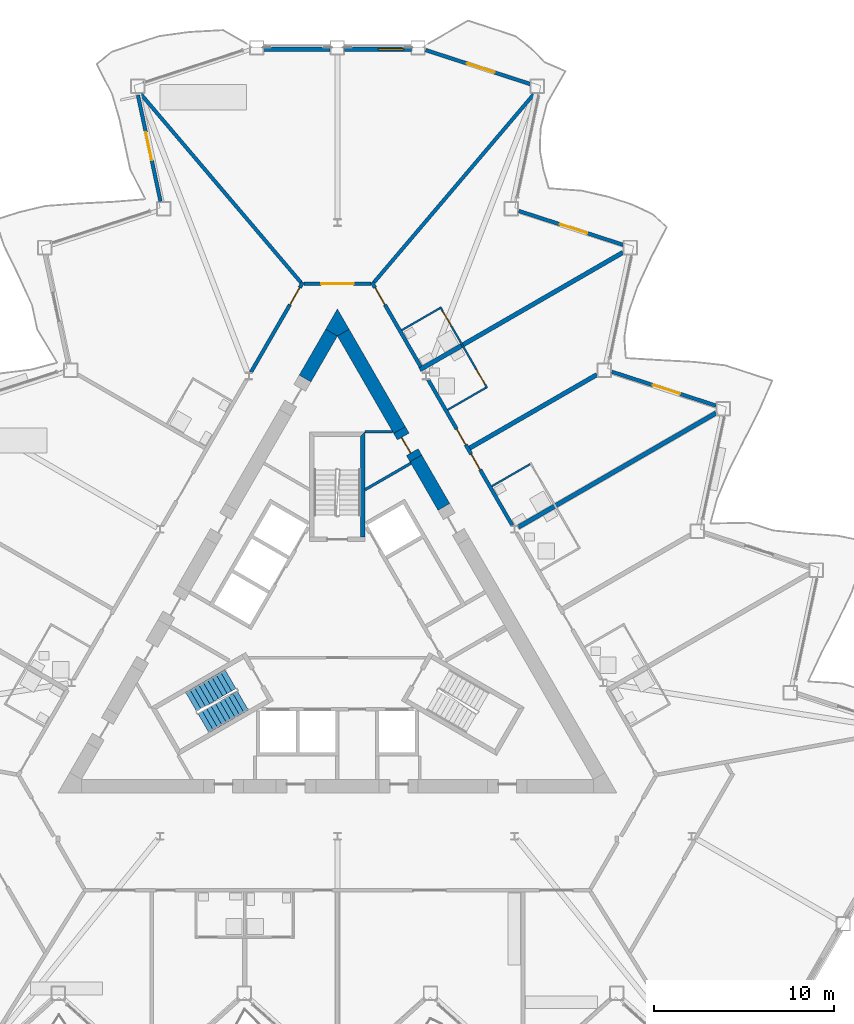
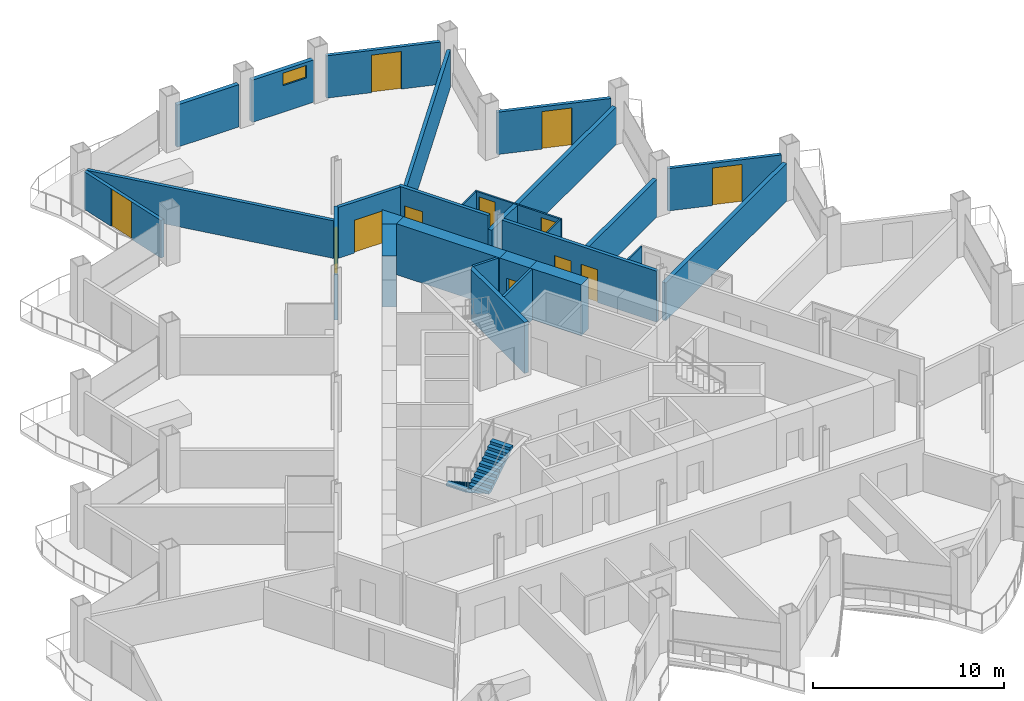
# One storey, part 15 of 24: 27 walls, 12 doors, 2 stair flights, 1 window, 13 openings, 1 element without a shape of its own.
"""IFC4 building model written with IfcOpenShell, lengths in metres."""

from ifc_helpers import new_model, si_unit, direction, frame, frame_2d, origin, place, context, subcontext, project, spatial, polyline, rectangle, outline, extrude, material, layer, layer_set, type_object, element, fill, aggregate, save


model = new_model("IFC4")

# Units and contexts
model_context = context("Model", 3, precision=1e-05, world=origin(), true_north=direction((0.0, 1.0)))
body_context = subcontext(model_context, "Body", "Model", "MODEL_VIEW")
ifc_project = project(units=[si_unit("LENGTHUNIT", "METRE"), si_unit("AREAUNIT", "SQUARE_METRE"), si_unit("VOLUMEUNIT", "CUBIC_METRE"), si_unit("PLANEANGLEUNIT", "RADIAN"), si_unit("MASSUNIT", "GRAM", prefix="KILO")], contexts=[model_context])

# Site, building, storey
site_placement = place(None, origin())
site = spatial("IfcSite", under=ifc_project, at=site_placement, CompositionType="ELEMENT")
building_placement = place(site_placement, origin())
building = spatial("IfcBuilding", under=site, at=building_placement, Name="Cormorant Prow Tower", CompositionType="ELEMENT")
storey_placement = place(building_placement, frame((0.0, 0.0, 205.199951171875)))
storey = spatial("IfcBuildingStorey", under=building, at=storey_placement, Name="L45", CompositionType="ELEMENT", Elevation=205.199951171875)

# Walls
ifc_material_1 = material(Name="Gypsum board partition")
ifc_layer_1 = layer(ifc_material_1, 0.14990234375)
ifc_layer_set_1 = layer_set([ifc_layer_1], Name="Gypsum board partition")
wall_type_1 = type_object("IfcWallType", Name="Core partition 150", PredefinedType="PARTITIONING", material=ifc_layer_set_1)
wall_1_placement = place(storey_placement, frame((4.0751953125, 9.33935546875, 0.0), z_axis=(0.0, 0.0, 1.0), x_axis=(-0.865995658863, -0.500051516177, 0.0)))
element("IfcWall", 1, at=wall_1_placement, inside=storey, type_object=wall_type_1, Name="Service room partition", PredefinedType="PARTITIONING", context=body_context, shape_type="SweptSolid", body=[
    extrude(rectangle(XDim=2.932861328125, YDim=0.14990234375, at=frame_2d((1.46630859375, 0.0))), origin(), (0.0, 0.0, 1.0), 3.25),
])
wall_2_placement = place(storey_placement, frame((1.5439453125, 11.0869140625, 0.0), z_axis=(0.0, 0.0, 1.0), x_axis=(1.0, 0.0, 0.0)))
element("IfcWall", 2, at=wall_2_placement, inside=storey, type_object=wall_type_1, Name="Service room partition", PredefinedType="PARTITIONING", context=body_context, shape_type="SweptSolid", body=[
    extrude(rectangle(XDim=1.5224609375, YDim=0.14990234375, at=frame_2d((0.76123046875, 0.0))), origin(), (0.0, 0.0, 1.0), 3.25),
])
ifc_material_2 = material(Name="Concrete 8000 psi", Category="concrete")
ifc_layer_2 = layer(ifc_material_2, 0.75)
ifc_layer_set_2 = layer_set([ifc_layer_2], Name="Concrete 8000 psi")
wall_type_2 = type_object("IfcWallType", Name="Core shear wall 750", PredefinedType="SHEAR", material=ifc_layer_set_2)
wall_3_placement = place(storey_placement, frame((3.4443359375, 11.181884765625, 0.0), z_axis=(0.0, 0.0, 1.0), x_axis=(-0.499985517215, 0.866033765263, 0.0)))
element("IfcWall", 3, at=wall_3_placement, inside=storey, type_object=wall_type_2, Name="Core wall", PredefinedType="SHEAR", context=body_context, shape_type="SweptSolid", body=[
    extrude(rectangle(XDim=6.239501953125, YDim=0.75, at=frame_2d((3.11962890625, 0.0))), origin(), (0.0, 0.0, 1.0), 3.25),
])
wall_4_placement = place(storey_placement, frame((5.906494140625, 6.917724609375, 0.0), z_axis=(0.0, 0.0, 1.0), x_axis=(-0.500017123375, 0.866015517374, 0.0)))
element("IfcWall", 4, at=wall_4_placement, inside=storey, type_object=wall_type_2, Name="Core wall", PredefinedType="SHEAR", context=body_context, shape_type="SweptSolid", body=[
    extrude(rectangle(XDim=3.10791015625, YDim=0.75, at=frame_2d((1.553955078125, 0.0))), origin(), (0.0, 0.0, 1.0), 3.25),
])
wall_5_placement = place(storey_placement, frame((-0.32470703125, 16.58544921875, 0.0), z_axis=(0.0, 0.0, 1.0), x_axis=(-0.500026977578, -0.866009827712, 0.0)))
element("IfcWall", 5, at=wall_5_placement, inside=storey, type_object=wall_type_2, Name="Core wall", PredefinedType="SHEAR", context=body_context, shape_type="SweptSolid", body=[
    extrude(rectangle(XDim=2.937744140625, YDim=0.75, at=frame_2d((1.46875, 0.0))), origin(), (0.0, 0.0, 1.0), 3.25),
])
wall_6_placement = place(storey_placement, origin())
element("IfcWall", 6, at=wall_6_placement, inside=storey, type_object=wall_type_2, Name="Core wall corner", PredefinedType="SHEAR", context=body_context, shape_type="SweptSolid", body=[
    extrude(outline(polyline([(-0.6494140625, 16.77294921875), (0.0, 17.89794921875), (0.6494140625, 16.77294921875), (0.0, 16.39794921875), (-0.6494140625, 16.77294921875)])), origin(), (0.0, 0.0, 1.0), 3.25),
])

# Wall, opening, door
wall_7_placement = place(storey_placement, frame((4.3525390625, 9.609130859375, 0.0), z_axis=(0.0, 0.0, 1.0), x_axis=(-0.500071537347, 0.865984097738, 0.0)))
wall_7 = element("IfcWall", 7, at=wall_7_placement, inside=storey, type_object=wall_type_2, Name="Core wall door panel", PredefinedType="SHEAR", context=body_context, shape_type="SweptSolid", body=[
    extrude(rectangle(XDim=1.816162109375, YDim=0.75, at=frame_2d((0.908203125, 0.0))), origin(), (0.0, 0.0, 1.0), 3.25),
])
opening_1_placement = place(wall_7_placement, frame((0.39990234375, 0.0, 0.0)))
opening_1 = element("IfcOpeningElement", 8, at=opening_1_placement, cuts=wall_7, Name="Opening L45-C23", PredefinedType="OPENING", context=body_context, shape_type="SweptSolid", body=[
    extrude(rectangle(XDim=1.0, YDim=2.10009765625, at=frame_2d((0.5, 1.050048828125))), frame((0.0, 0.385009765625, 0.0), z_axis=(0.0, -1.0, 0.0), x_axis=(1.0, 0.0, 0.0)), (0.0, 0.0, 1.0), 0.77001953125),
])
ifc_material_3 = material(Name="Painted steel", Category="steel")
door_type_1 = type_object("IfcDoorType", Name="Service door 1000x2100", OperationType="NOTDEFINED", PredefinedType="DOOR", material=ifc_material_3)
door_1_placement = place(opening_1_placement, origin())
door_1 = element("IfcDoor", 9, at=door_1_placement, inside=storey, type_object=door_type_1, Name="Core door, Mechanical riser room", OperationType="SINGLE_SWING_RIGHT", OverallHeight=2.10009765625, OverallWidth=1.0, PredefinedType="DOOR", context=body_context, shape_type="SweptSolid", body=[
    extrude(rectangle(XDim=1.0, YDim=2.10009765625, at=frame_2d((0.5, 1.050048828125))), frame((0.0, 0.1298828125, 0.0), z_axis=(0.0, -1.0, 0.0), x_axis=(1.0, 0.0, 0.0)), (0.0, 0.0, 1.0), 0.050048828125),
])
fill(opening_1, door_1)

# Wall, openings, doors
ifc_material_4 = material(Name="Gypsum board corridor wall")
ifc_layer_3 = layer(ifc_material_4, 0.199951171875)
ifc_layer_set_3 = layer_set([ifc_layer_3], Name="Gypsum board corridor wall")
wall_type_3 = type_object("IfcWallType", Name="Corridor wall 200", PredefinedType="PARTITIONING", material=ifc_layer_set_3)
wall_8_placement = place(storey_placement, frame((5.03759765625, 13.972412109375, 0.0), z_axis=(0.0, 0.0, 1.0), x_axis=(0.50000393355, -0.866023132736, 0.0)))
wall_8 = element("IfcWall", 10, at=wall_8_placement, inside=storey, type_object=wall_type_3, Name="Corridor wall", PredefinedType="PARTITIONING", context=body_context, shape_type="SweptSolid", body=[
    extrude(rectangle(XDim=9.3349609375, YDim=0.199951171875, at=frame_2d((4.66748046875, 0.0))), origin(), (0.0, 0.0, 1.0), 3.25),
])
opening_2_placement = place(wall_8_placement, frame((4.770263671875, 0.0, 0.0)))
opening_2 = element("IfcOpeningElement", 11, at=opening_2_placement, cuts=wall_8, Name="Opening L45-F16", PredefinedType="OPENING", context=body_context, shape_type="SweptSolid", body=[
    extrude(rectangle(XDim=1.0, YDim=2.10009765625, at=frame_2d((0.5, 1.050048828125))), frame((0.0, 0.10986328125, 0.0), z_axis=(0.0, -1.0, 0.0), x_axis=(1.0, 0.0, 0.0)), (0.0, 0.0, 1.0), 0.219970703125),
])
opening_3_placement = place(wall_8_placement, frame((3.1630859375, 0.0, 0.0)))
opening_3 = element("IfcOpeningElement", 12, at=opening_3_placement, cuts=wall_8, Name="Opening L45-F18", PredefinedType="OPENING", context=body_context, shape_type="SweptSolid", body=[
    extrude(rectangle(XDim=1.0, YDim=2.10009765625, at=frame_2d((0.5, 1.050048828125))), frame((0.0, 0.10986328125, 0.0), z_axis=(0.0, -1.0, 0.0), x_axis=(1.0, 0.0, 0.0)), (0.0, 0.0, 1.0), 0.219970703125),
])
ifc_material_5 = material(Name="Timber door leaf", Category="wood")
door_type_2 = type_object("IfcDoorType", Name="Flat or room entrance door 1000x2100", OperationType="NOTDEFINED", PredefinedType="DOOR", material=ifc_material_5)
door_2_placement = place(opening_2_placement, origin())
door_2 = element("IfcDoor", 13, at=door_2_placement, inside=storey, type_object=door_type_2, Name="Guest room door", OperationType="SINGLE_SWING_LEFT", OverallHeight=2.10009765625, OverallWidth=1.0, PredefinedType="DOOR", context=body_context, shape_type="SweptSolid", body=[
    extrude(rectangle(XDim=1.0, YDim=2.10009765625, at=frame_2d((0.5, 1.050048828125))), frame((0.0, 0.02490234375, 0.0), z_axis=(0.0, -1.0, 0.0), x_axis=(1.0, 0.0, 0.0)), (0.0, 0.0, 1.0), 0.050048828125),
])
fill(opening_2, door_2)
door_3_placement = place(opening_3_placement, origin())
door_3 = element("IfcDoor", 14, at=door_3_placement, inside=storey, type_object=door_type_2, Name="Guest room door", OperationType="SINGLE_SWING_RIGHT", OverallHeight=2.10009765625, OverallWidth=1.0, PredefinedType="DOOR", context=body_context, shape_type="SweptSolid", body=[
    extrude(rectangle(XDim=1.0, YDim=2.10009765625, at=frame_2d((0.5, 1.050048828125))), frame((0.0, 0.02490234375, 0.0), z_axis=(0.0, -1.0, 0.0), x_axis=(1.0, 0.0, 0.0)), (0.0, 0.0, 1.0), 0.050048828125),
])
fill(opening_3, door_3)

# Wall, opening, door
wall_9_placement = place(storey_placement, frame((-4.791015625, 14.39990234375, 0.0), z_axis=(0.0, 0.0, 1.0), x_axis=(0.50000762079, 0.866021003874, 0.0)))
wall_9 = element("IfcWall", 15, at=wall_9_placement, inside=storey, type_object=wall_type_3, Name="Corridor wall", PredefinedType="PARTITIONING", context=body_context, shape_type="SweptSolid", body=[
    extrude(rectangle(XDim=5.755859375, YDim=0.199951171875, at=frame_2d((2.8779296875, 0.0))), origin(), (0.0, 0.0, 1.0), 3.25),
])
opening_4_placement = place(wall_9_placement, frame((4.304443359375, 0.0, 0.0)))
opening_4 = element("IfcOpeningElement", 16, at=opening_4_placement, cuts=wall_9, Name="Opening L45-F23", PredefinedType="OPENING", context=body_context, shape_type="SweptSolid", body=[
    extrude(rectangle(XDim=1.10009765625, YDim=2.10009765625, at=frame_2d((0.550048828125, 1.050048828125))), frame((0.0, 0.10986328125, 0.0), z_axis=(0.0, -1.0, 0.0), x_axis=(1.0, 0.0, 0.0)), (0.0, 0.0, 1.0), 0.219970703125),
])
ifc_material_6 = material(Name="Timber door leaf", Category="wood")
door_type_3 = type_object("IfcDoorType", Name="Suite entrance door 1100x2100", OperationType="NOTDEFINED", PredefinedType="DOOR", material=ifc_material_6)
door_4_placement = place(opening_4_placement, origin())
door_4 = element("IfcDoor", 17, at=door_4_placement, inside=storey, type_object=door_type_3, Name="Executive suite bedroom door", OperationType="SINGLE_SWING_RIGHT", OverallHeight=2.10009765625, OverallWidth=1.10009765625, PredefinedType="DOOR", context=body_context, shape_type="SweptSolid", body=[
    extrude(rectangle(XDim=1.10009765625, YDim=2.10009765625, at=frame_2d((0.550048828125, 1.050048828125))), frame((0.0, 0.02490234375, 0.0), z_axis=(0.0, -1.0, 0.0), x_axis=(1.0, 0.0, 0.0)), (0.0, 0.0, 1.0), 0.050048828125),
])
fill(opening_4, door_4)

wall_10_placement = place(storey_placement, frame((1.9130859375, 19.384521484375, 0.0), z_axis=(0.0, 0.0, 1.0), x_axis=(0.499961611314, -0.866047566368, 0.0)))
wall_10 = element("IfcWall", 18, at=wall_10_placement, inside=storey, type_object=wall_type_3, Name="Corridor wall", PredefinedType="PARTITIONING", context=body_context, shape_type="SweptSolid", body=[
    extrude(rectangle(XDim=5.419921875, YDim=0.199951171875, at=frame_2d((2.7099609375, 0.0))), origin(), (0.0, 0.0, 1.0), 3.25),
])
opening_5_placement = place(wall_10_placement, frame((0.3505859375, 0.0, 0.0)))
opening_5 = element("IfcOpeningElement", 19, at=opening_5_placement, cuts=wall_10, Name="Opening L45-F20", PredefinedType="OPENING", context=body_context, shape_type="SweptSolid", body=[
    extrude(rectangle(XDim=1.10009765625, YDim=2.10009765625, at=frame_2d((0.550048828125, 1.050048828125))), frame((0.0, 0.10986328125, 0.0), z_axis=(0.0, -1.0, 0.0), x_axis=(1.0, 0.0, 0.0)), (0.0, 0.0, 1.0), 0.219970703125),
])
door_5_placement = place(opening_5_placement, origin())
door_5 = element("IfcDoor", 20, at=door_5_placement, inside=storey, type_object=door_type_3, Name="Junior suite door", OperationType="SINGLE_SWING_LEFT", OverallHeight=2.10009765625, OverallWidth=1.10009765625, PredefinedType="DOOR", context=body_context, shape_type="SweptSolid", body=[
    extrude(rectangle(XDim=1.10009765625, YDim=2.10009765625, at=frame_2d((0.550048828125, 1.050048828125))), frame((0.0, 0.02490234375, 0.0), z_axis=(0.0, -1.0, 0.0), x_axis=(1.0, 0.0, 0.0)), (0.0, 0.0, 1.0), 0.050048828125),
])
fill(opening_5, door_5)

wall_11_placement = place(storey_placement, frame((-1.863037109375, 19.2978515625, 0.0), z_axis=(0.0, 0.0, 1.0), x_axis=(1.0, 0.0, 0.0)))
wall_11 = element("IfcWall", 21, at=wall_11_placement, inside=storey, type_object=wall_type_3, Name="Corridor wall", PredefinedType="PARTITIONING", context=body_context, shape_type="SweptSolid", body=[
    extrude(rectangle(XDim=3.72607421875, YDim=0.199951171875, at=frame_2d((1.863037109375, 0.0))), origin(), (0.0, 0.0, 1.0), 3.25),
])
opening_6_placement = place(wall_11_placement, frame((0.962890625, 0.0, 0.0)))
opening_6 = element("IfcOpeningElement", 22, at=opening_6_placement, cuts=wall_11, Name="Opening L45-F22", PredefinedType="OPENING", context=body_context, shape_type="SweptSolid", body=[
    extrude(rectangle(XDim=1.800048828125, YDim=2.10009765625, at=frame_2d((0.89990234375, 1.050048828125))), frame((0.0, 0.10986328125, 0.0), z_axis=(0.0, -1.0, 0.0), x_axis=(1.0, 0.0, 0.0)), (0.0, 0.0, 1.0), 0.219970703125),
])
ifc_material_7 = material(Name="Timber door leaf", Category="wood")
door_type_4 = type_object("IfcDoorType", Name="Double door 1800x2100", OperationType="DOUBLE_DOOR_SINGLE_SWING", PredefinedType="DOOR", material=ifc_material_7)
door_6_placement = place(opening_6_placement, origin())
door_6 = element("IfcDoor", 23, at=door_6_placement, inside=storey, type_object=door_type_4, Name="Co-working space door", OperationType="DOUBLE_DOOR_SINGLE_SWING", OverallHeight=2.10009765625, OverallWidth=1.800048828125, PredefinedType="DOOR", context=body_context, shape_type="SweptSolid", body=[
    extrude(rectangle(XDim=1.800048828125, YDim=2.10009765625, at=frame_2d((0.89990234375, 1.050048828125))), frame((0.0, 0.02490234375, 0.0), z_axis=(0.0, -1.0, 0.0), x_axis=(1.0, 0.0, 0.0)), (0.0, 0.0, 1.0), 0.050048828125),
])
fill(opening_6, door_6)

# Walls
ifc_material_8 = material(Name="Gypsum board demising wall")
ifc_layer_4 = layer(ifc_material_8, 0.199951171875)
ifc_layer_set_4 = layer_set([ifc_layer_4], Name="Gypsum board demising wall")
wall_type_4 = type_object("IfcWallType", Name="Demising wall 200", PredefinedType="PARTITIONING", material=ifc_layer_set_4)
for number, where, z_axis, x_axis, name in (
    (24, (2.02783203125, 19.3740234375, 0.0), (0.0, 0.0, 1.0), (0.647497756192, 0.762067356423, 0.0), "Demising wall"),
    (25, (-10.921875, 29.841796875, 0.0), (0.0, 0.0, 1.0), (0.647497756192, -0.762067356423, 0.0), "Demising wall"),
):
    element("IfcWall", number, at=place(storey_placement, frame(where, z_axis=z_axis, x_axis=x_axis)), inside=storey, type_object=wall_type_4, Name=name, PredefinedType="PARTITIONING", context=body_context, shape_type="SweptSolid", body=[
        extrude(rectangle(XDim=13.736083984375, YDim=0.199951171875, at=frame_2d((6.8681640625, 0.0))), origin(), (0.0, 0.0, 1.0), 2.404296875),
    ])

# Wall, openings, doors
ifc_material_9 = material(Name="Gypsum board partition")
ifc_layer_5 = layer(ifc_material_9, 0.10009765625)
ifc_layer_set_5 = layer_set([ifc_layer_5], Name="Gypsum board partition")
wall_type_5 = type_object("IfcWallType", Name="Internal partition 100", PredefinedType="PARTITIONING", material=ifc_layer_set_5)
wall_12_placement = place(storey_placement, frame((5.70703125, 18.012939453125, 0.0), z_axis=(0.0, 0.0, 1.0), x_axis=(0.500006934395, -0.866021400173, 0.0)))
wall_12 = element("IfcWall", 26, at=wall_12_placement, inside=storey, type_object=wall_type_5, Name="Internal partition", PredefinedType="PARTITIONING", context=body_context, shape_type="SweptSolid", body=[
    extrude(rectangle(XDim=5.2001953125, YDim=0.10009765625, at=frame_2d((2.60009765625, 0.0))), origin(), (0.0, 0.0, 1.0), 2.404296875),
])
opening_7_placement = place(wall_12_placement, frame((4.0, 0.0, 0.0)))
opening_7 = element("IfcOpeningElement", 27, at=opening_7_placement, cuts=wall_12, Name="Opening L45-F19", PredefinedType="OPENING", context=body_context, shape_type="SweptSolid", body=[
    extrude(rectangle(XDim=0.949951171875, YDim=2.10009765625, at=frame_2d((0.47509765625, 1.050048828125))), frame((0.0, 0.06005859375, 0.0), z_axis=(0.0, -1.0, 0.0), x_axis=(1.0, 0.0, 0.0)), (0.0, 0.0, 1.0), 0.1201171875),
])
opening_8_placement = place(wall_12_placement, frame((0.25, 0.0, 0.0)))
opening_8 = element("IfcOpeningElement", 28, at=opening_8_placement, cuts=wall_12, Name="Opening L45-F21", PredefinedType="OPENING", context=body_context, shape_type="SweptSolid", body=[
    extrude(rectangle(XDim=0.949951171875, YDim=2.10009765625, at=frame_2d((0.47509765625, 1.050048828125))), frame((0.0, 0.06005859375, 0.0), z_axis=(0.0, -1.0, 0.0), x_axis=(1.0, 0.0, 0.0)), (0.0, 0.0, 1.0), 0.1201171875),
])
ifc_material_10 = material(Name="Timber door leaf", Category="wood")
door_type_5 = type_object("IfcDoorType", Name="Bathroom door 950x2100", OperationType="NOTDEFINED", PredefinedType="DOOR", material=ifc_material_10)
door_7_placement = place(opening_7_placement, origin())
door_7 = element("IfcDoor", 29, at=door_7_placement, inside=storey, type_object=door_type_5, Name="Guest room door", OperationType="SINGLE_SWING_RIGHT", OverallHeight=2.10009765625, OverallWidth=0.949951171875, PredefinedType="DOOR", context=body_context, shape_type="SweptSolid", body=[
    extrude(rectangle(XDim=0.949951171875, YDim=2.10009765625, at=frame_2d((0.47509765625, 1.050048828125))), frame((0.0, 0.02490234375, 0.0), z_axis=(0.0, -1.0, 0.0), x_axis=(1.0, 0.0, 0.0)), (0.0, 0.0, 1.0), 0.050048828125),
])
fill(opening_7, door_7)
door_8_placement = place(opening_8_placement, origin())
door_8 = element("IfcDoor", 30, at=door_8_placement, inside=storey, type_object=door_type_5, Name="Junior suite door", OperationType="SINGLE_SWING_LEFT", OverallHeight=2.10009765625, OverallWidth=0.949951171875, PredefinedType="DOOR", context=body_context, shape_type="SweptSolid", body=[
    extrude(rectangle(XDim=0.949951171875, YDim=2.10009765625, at=frame_2d((0.47509765625, 1.050048828125))), frame((0.0, 0.02490234375, 0.0), z_axis=(0.0, -1.0, 0.0), x_axis=(1.0, 0.0, 0.0)), (0.0, 0.0, 1.0), 0.050048828125),
])
fill(opening_8, door_8)

# Walls
for number, where, z_axis, x_axis, name in (
    (31, (6.116943359375, 12.302734375, 0.0), (0.0, 0.0, 1.0), (0.866014668023, 0.500018594424, 0.0), "Internal partition"),
    (32, (3.56689453125, 16.719482421875, 0.0), (0.0, 0.0, 1.0), (0.866014668023, 0.500018594424, 0.0), "Internal partition"),
):
    element("IfcWall", number, at=place(storey_placement, frame(where, z_axis=z_axis, x_axis=x_axis)), inside=storey, type_object=wall_type_5, Name=name, PredefinedType="PARTITIONING", context=body_context, shape_type="SweptSolid", body=[
        extrude(rectangle(XDim=2.4501953125, YDim=0.10009765625, at=frame_2d((1.22509765625, 0.0))), origin(), (0.0, 0.0, 1.0), 2.404296875),
    ])
wall_13_placement = place(storey_placement, frame((8.565185546875, 8.062744140625, 0.0), z_axis=(0.0, 0.0, 1.0), x_axis=(0.866032905446, 0.499987006516, 0.0)))
element("IfcWall", 33, at=wall_13_placement, inside=storey, type_object=wall_type_5, Name="Internal partition", PredefinedType="PARTITIONING", context=body_context, shape_type="SweptSolid", body=[
    extrude(rectangle(XDim=2.44970703125, YDim=0.10009765625, at=frame_2d((1.224853515625, 0.0))), origin(), (0.0, 0.0, 1.0), 2.404296875),
])
ifc_material_11 = material(Name="Concrete 8000 psi", Category="concrete")
ifc_layer_6 = layer(ifc_material_11, 0.25)
ifc_layer_set_6 = layer_set([ifc_layer_6], Name="Concrete 8000 psi")
wall_type_6 = type_object("IfcWallType", Name="Stair wall 250", PredefinedType="SHEAR", material=ifc_layer_set_6)
wall_14_placement = place(storey_placement, origin())
element("IfcWall", 34, at=wall_14_placement, inside=storey, type_object=wall_type_6, Name="Stair ST3 enclosure wall (flank)", PredefinedType="SHEAR", context=body_context, shape_type="SweptSolid", body=[
    extrude(outline(polyline([(1.5439453125, 5.23681640625), (1.5439453125, 11.0869140625), (1.2939453125, 10.8369140625), (1.2939453125, 5.23681640625), (1.5439453125, 5.23681640625)])), origin(), (0.0, 0.0, 1.0), 3.25),
])
ifc_material_12 = material(Name="Acoustic gypsum party wall")
ifc_layer_7 = layer(ifc_material_12, 0.25)
ifc_layer_set_7 = layer_set([ifc_layer_7], Name="Acoustic gypsum party wall")
wall_type_7 = type_object("IfcWallType", Name="Suite party wall 250", PredefinedType="PARTITIONING", material=ifc_layer_set_7)
wall_15_placement = place(storey_placement, frame((4.572265625, 14.528564453125, 0.0), z_axis=(0.0, 0.0, 1.0), x_axis=(0.866023333059, 0.500003586584, 0.0)))
element("IfcWall", 35, at=wall_15_placement, inside=storey, type_object=wall_type_7, Name="Suite party wall", PredefinedType="PARTITIONING", context=body_context, shape_type="SweptSolid", body=[
    extrude(rectangle(XDim=13.0048828125, YDim=0.25, at=frame_2d((6.50244140625, 0.0))), origin(), (0.0, 0.0, 1.0), 2.404296875),
])
wall_16_placement = place(storey_placement, frame((10.042236328125, 5.7978515625, 0.0), z_axis=(0.0, 0.0, 1.0), x_axis=(0.866025883649, 0.499999168849, 0.0)))
element("IfcWall", 36, at=wall_16_placement, inside=storey, type_object=wall_type_7, Name="Suite party wall", PredefinedType="PARTITIONING", context=body_context, shape_type="SweptSolid", body=[
    extrude(rectangle(XDim=12.65234375, YDim=0.25, at=frame_2d((6.326171875, 0.0))), origin(), (0.0, 0.0, 1.0), 2.404296875),
])
wall_17_placement = place(storey_placement, frame((7.341064453125, 10.182861328125, 0.0), z_axis=(0.0, 0.0, 1.0), x_axis=(0.866028741424, 0.499994218994, 0.0)))
element("IfcWall", 37, at=wall_17_placement, inside=storey, type_object=wall_type_7, Name="Suite party wall", PredefinedType="PARTITIONING", context=body_context, shape_type="SweptSolid", body=[
    extrude(rectangle(XDim=8.13916015625, YDim=0.25, at=frame_2d((4.069580078125, 0.0))), origin(), (0.0, 0.0, 1.0), 2.404296875),
])

# Wall, opening, window
ifc_material_13 = material(Name="Terracotta", Category="masonry")
ifc_layer_8 = layer(ifc_material_13, 0.25)
ifc_layer_set_8 = layer_set([ifc_layer_8], Name="Terracotta")
wall_type_8 = type_object("IfcWallType", Name="Terracotta bay wall 250", PredefinedType="SOLIDWALL", material=ifc_layer_set_8)
wall_18_placement = place(storey_placement, frame((4.125, 32.306640625, 0.0), z_axis=(0.0, 0.0, 1.0), x_axis=(-1.0, 0.0, 0.0)))
wall_18 = element("IfcWall", 38, at=wall_18_placement, inside=storey, type_object=wall_type_8, Name="Terracotta bay wall N00", PredefinedType="SOLIDWALL", context=body_context, shape_type="SweptSolid", body=[
    extrude(rectangle(XDim=3.72509765625, YDim=0.25, at=frame_2d((1.862548828125, 0.0))), origin(), (0.0, 0.0, 1.0), 2.700927734375),
])
opening_9_placement = place(wall_18_placement, frame((0.449951171875, 0.0, 1.699951171875)))
opening_9 = element("IfcOpeningElement", 39, at=opening_9_placement, cuts=wall_18, Name="Opening WN3", PredefinedType="OPENING", context=body_context, shape_type="SweptSolid", body=[
    extrude(rectangle(XDim=1.39990234375, YDim=0.800048828125, at=frame_2d((0.699951171875, 0.39990234375))), frame((0.0, 0.135009765625, 0.0), z_axis=(0.0, -1.0, 0.0), x_axis=(1.0, 0.0, 0.0)), (0.0, 0.0, 1.0), 0.27001953125),
])
ifc_material_14 = material(Name="Aluminium 6063-T6", Category="aluminium")
window_type = type_object("IfcWindowType", Name="Corner bay window 1400x800", PartitioningType="SINGLE_PANEL", PredefinedType="WINDOW", material=ifc_material_14)
window_placement = place(opening_9_placement, origin())
window = element("IfcWindow", 40, at=window_placement, inside=storey, type_object=window_type, Name="Corner bay window N00", OverallHeight=0.800048828125, OverallWidth=1.39990234375, PartitioningType="SINGLE_PANEL", PredefinedType="WINDOW", context=body_context, shape_type="SweptSolid", body=[
    extrude(rectangle(XDim=1.39990234375, YDim=0.800048828125, at=frame_2d((0.699951171875, 0.39990234375))), frame((0.0, 0.030029296875, 0.0), z_axis=(0.0, -1.0, 0.0), x_axis=(1.0, 0.0, 0.0)), (0.0, 0.0, 1.0), 0.06005859375),
])
fill(opening_9, window)

# Wall
wall_19_placement = place(storey_placement, frame((-0.39990234375, 32.306640625, 0.0), z_axis=(0.0, 0.0, 1.0), x_axis=(-1.0, 0.0, 0.0)))
element("IfcWall", 41, at=wall_19_placement, inside=storey, type_object=wall_type_8, Name="Terracotta bay wall N01", PredefinedType="SOLIDWALL", context=body_context, shape_type="SweptSolid", body=[
    extrude(rectangle(XDim=3.72509765625, YDim=0.25, at=frame_2d((1.862548828125, 0.0))), origin(), (0.0, 0.0, 1.0), 2.700927734375),
])

# Wall, opening, door
ifc_material_15 = material(Name="Terracotta", Category="masonry")
ifc_layer_9 = layer(ifc_material_15, 0.199951171875)
ifc_layer_set_9 = layer_set([ifc_layer_9], Name="Terracotta")
wall_type_9 = type_object("IfcWallType", Name="Terracotta jamb wall 200", PredefinedType="SOLIDWALL", material=ifc_layer_set_9)
wall_20_placement = place(storey_placement, frame((21.006103515625, 12.5380859375, 0.0), z_axis=(0.0, 0.0, 1.0), x_axis=(-0.951049709595, 0.309037942458, 0.0)))
wall_20 = element("IfcWall", 42, at=wall_20_placement, inside=storey, type_object=wall_type_9, Name="Terracotta jamb wall ENE05", PredefinedType="SOLIDWALL", context=body_context, shape_type="SweptSolid", body=[
    extrude(rectangle(XDim=6.0791015625, YDim=0.199951171875, at=frame_2d((3.03955078125, 0.0))), origin(), (0.0, 0.0, 1.0), 2.700927734375),
])
opening_10_placement = place(wall_20_placement, frame((2.095703125, 0.0, 0.0)))
opening_10 = element("IfcOpeningElement", 43, at=opening_10_placement, cuts=wall_20, Name="Opening ED45.08", PredefinedType="OPENING", context=body_context, shape_type="SweptSolid", body=[
    extrude(rectangle(XDim=1.60009765625, YDim=2.39990234375, at=frame_2d((0.800048828125, 1.199951171875))), frame((0.0, 0.10986328125, 0.0), z_axis=(0.0, -1.0, 0.0), x_axis=(1.0, 0.0, 0.0)), (0.0, 0.0, 1.0), 0.219970703125),
])
ifc_material_16 = material(Name="Aluminium 6063-T6", Category="aluminium")
door_type_6 = type_object("IfcDoorType", Name="Balcony door 1600x2400", OperationType="DOUBLE_DOOR_SINGLE_SWING", PredefinedType="DOOR", material=ifc_material_16)
door_9_placement = place(opening_10_placement, origin())
door_9 = element("IfcDoor", 44, at=door_9_placement, inside=storey, type_object=door_type_6, Name="Balcony door ENE05 ED45.08", OperationType="DOUBLE_DOOR_SINGLE_SWING", OverallHeight=2.39990234375, OverallWidth=1.60009765625, PredefinedType="DOOR", context=body_context, shape_type="SweptSolid", body=[
    extrude(rectangle(XDim=1.60009765625, YDim=2.39990234375, at=frame_2d((0.800048828125, 1.199951171875))), frame((0.0, 0.02490234375, 0.0), z_axis=(0.0, -1.0, 0.0), x_axis=(1.0, 0.0, 0.0)), (0.0, 0.0, 1.0), 0.050048828125),
])
fill(opening_10, door_9)

wall_21_placement = place(storey_placement, frame((15.858154296875, 21.454833984375, 0.0), z_axis=(0.0, 0.0, 1.0), x_axis=(-0.951066434465, 0.308986467719, 0.0)))
wall_21 = element("IfcWall", 45, at=wall_21_placement, inside=storey, type_object=wall_type_9, Name="Terracotta jamb wall ENE07", PredefinedType="SOLIDWALL", context=body_context, shape_type="SweptSolid", body=[
    extrude(rectangle(XDim=6.0966796875, YDim=0.199951171875, at=frame_2d((3.04833984375, 0.0))), origin(), (0.0, 0.0, 1.0), 2.700927734375),
])
opening_11_placement = place(wall_21_placement, frame((2.095703125, 0.0, 0.0)))
opening_11 = element("IfcOpeningElement", 46, at=opening_11_placement, cuts=wall_21, Name="Opening ED45.09", PredefinedType="OPENING", context=body_context, shape_type="SweptSolid", body=[
    extrude(rectangle(XDim=1.60009765625, YDim=2.39990234375, at=frame_2d((0.800048828125, 1.199951171875))), frame((0.0, 0.10986328125, 0.0), z_axis=(0.0, -1.0, 0.0), x_axis=(1.0, 0.0, 0.0)), (0.0, 0.0, 1.0), 0.219970703125),
])
door_10_placement = place(opening_11_placement, origin())
door_10 = element("IfcDoor", 47, at=door_10_placement, inside=storey, type_object=door_type_6, Name="Balcony door ENE07 ED45.09", OperationType="DOUBLE_DOOR_SINGLE_SWING", OverallHeight=2.39990234375, OverallWidth=1.60009765625, PredefinedType="DOOR", context=body_context, shape_type="SweptSolid", body=[
    extrude(rectangle(XDim=1.60009765625, YDim=2.39990234375, at=frame_2d((0.800048828125, 1.199951171875))), frame((0.0, 0.02490234375, 0.0), z_axis=(0.0, -1.0, 0.0), x_axis=(1.0, 0.0, 0.0)), (0.0, 0.0, 1.0), 0.050048828125),
])
fill(opening_11, door_10)

wall_22_placement = place(storey_placement, frame((10.710205078125, 30.371337890625, 0.0), z_axis=(0.0, 0.0, 1.0), x_axis=(-0.951055780789, 0.30901925802, 0.0)))
wall_22 = element("IfcWall", 48, at=wall_22_placement, inside=storey, type_object=wall_type_9, Name="Terracotta jamb wall ENE09", PredefinedType="SOLIDWALL", context=body_context, shape_type="SweptSolid", body=[
    extrude(rectangle(XDim=6.1142578125, YDim=0.199951171875, at=frame_2d((3.05712890625, 0.0))), origin(), (0.0, 0.0, 1.0), 2.700927734375),
])
opening_12_placement = place(wall_22_placement, frame((2.095703125, 0.0, 0.0)))
opening_12 = element("IfcOpeningElement", 49, at=opening_12_placement, cuts=wall_22, Name="Opening ED45.10", PredefinedType="OPENING", context=body_context, shape_type="SweptSolid", body=[
    extrude(rectangle(XDim=1.60009765625, YDim=2.39990234375, at=frame_2d((0.800048828125, 1.199951171875))), frame((0.0, 0.10986328125, 0.0), z_axis=(0.0, -1.0, 0.0), x_axis=(1.0, 0.0, 0.0)), (0.0, 0.0, 1.0), 0.219970703125),
])
door_11_placement = place(opening_12_placement, origin())
door_11 = element("IfcDoor", 50, at=door_11_placement, inside=storey, type_object=door_type_6, Name="Balcony door ENE09 ED45.10", OperationType="DOUBLE_DOOR_SINGLE_SWING", OverallHeight=2.39990234375, OverallWidth=1.60009765625, PredefinedType="DOOR", context=body_context, shape_type="SweptSolid", body=[
    extrude(rectangle(XDim=1.60009765625, YDim=2.39990234375, at=frame_2d((0.800048828125, 1.199951171875))), frame((0.0, 0.02490234375, 0.0), z_axis=(0.0, -1.0, 0.0), x_axis=(1.0, 0.0, 0.0)), (0.0, 0.0, 1.0), 0.050048828125),
])
fill(opening_12, door_11)

wall_23_placement = place(storey_placement, frame((-11.0654296875, 29.756103515625, 0.0), z_axis=(0.0, 0.0, 1.0), x_axis=(0.207907768613, -0.978148434416, 0.0)))
wall_23 = element("IfcWall", 51, at=wall_23_placement, inside=storey, type_object=wall_type_9, Name="Terracotta jamb wall WNW01", PredefinedType="SOLIDWALL", context=body_context, shape_type="SweptSolid", body=[
    extrude(rectangle(XDim=6.01708984375, YDim=0.199951171875, at=frame_2d((3.008544921875, 0.0))), origin(), (0.0, 0.0, 1.0), 2.404296875),
])
opening_13_placement = place(wall_23_placement, frame((2.095703125, 0.0, 0.0)))
opening_13 = element("IfcOpeningElement", 52, at=opening_13_placement, cuts=wall_23, Name="Opening ED45.11", PredefinedType="OPENING", context=body_context, shape_type="SweptSolid", body=[
    extrude(rectangle(XDim=1.60009765625, YDim=2.39990234375, at=frame_2d((0.800048828125, 1.199951171875))), frame((0.0, 0.10986328125, 0.0), z_axis=(0.0, -1.0, 0.0), x_axis=(1.0, 0.0, 0.0)), (0.0, 0.0, 1.0), 0.219970703125),
])
door_12_placement = place(opening_13_placement, origin())
door_12 = element("IfcDoor", 53, at=door_12_placement, inside=storey, type_object=door_type_6, Name="Balcony door WNW01 ED45.11", OperationType="DOUBLE_DOOR_SINGLE_SWING", OverallHeight=2.39990234375, OverallWidth=1.60009765625, PredefinedType="DOOR", context=body_context, shape_type="SweptSolid", body=[
    extrude(rectangle(XDim=1.60009765625, YDim=2.39990234375, at=frame_2d((0.800048828125, 1.199951171875))), frame((0.0, 0.02490234375, 0.0), z_axis=(0.0, -1.0, 0.0), x_axis=(1.0, 0.0, 0.0)), (0.0, 0.0, 1.0), 0.050048828125),
])
fill(opening_13, door_12)

# Stair, stair flights
ifc_material_17 = material(Name="Exit stair 20 risers")
stair_type = type_object("IfcStairType", Name="Exit stair 20 risers", PredefinedType="HALF_TURN_STAIR", material=ifc_material_17)
stair_placement = place(storey_placement, origin())
stair = element("IfcStair", 54, at=stair_placement, inside=storey, type_object=stair_type, Name="L45 Exit stair ST1", PredefinedType="HALF_TURN_STAIR")
ifc_material_18 = material(Name="Concrete 5000 psi", Category="concrete")
stair_flight_type = type_object("IfcStairFlightType", Name="Stair flight 1219", PredefinedType="STRAIGHT", material=ifc_material_18)
stair_flight_1_placement = place(storey_placement, frame((-5.93310546875, -2.635009765625, 0.0), z_axis=(0.0, 0.0, 1.0), x_axis=(-0.866025403784, -0.5, 0.0)))
stair_flight_1 = element("IfcStairFlight", 55, at=stair_flight_1_placement, type_object=stair_flight_type, Name="ST1 flight 1", NumberOfRisers=10, NumberOfTreads=9, PredefinedType="STRAIGHT", RiserHeight=0.18, TreadLength=0.28, context=body_context, shape_type="SweptSolid", body=[
    extrude(outline(polyline([(0.0, 0.0), (0.0, 0.179931640625), (0.280029296875, 0.179931640625), (0.280029296875, 0.360107421875), (0.56005859375, 0.360107421875), (0.56005859375, 0.5400390625), (0.840087890625, 0.5400390625), (0.840087890625, 0.719970703125), (1.1201171875, 0.719970703125), (1.1201171875, 0.89990234375), (1.39990234375, 0.89990234375), (1.39990234375, 1.080078125), (1.679931640625, 1.080078125), (1.679931640625, 1.260009765625), (1.9599609375, 1.260009765625), (1.9599609375, 1.43994140625), (2.239990234375, 1.43994140625), (2.239990234375, 1.6201171875), (2.52001953125, 1.6201171875), (2.52001953125, 1.800048828125), (2.52001953125, 1.44189453125), (0.277099609375, 0.0), (0.0, 0.0)])), frame((0.0, 0.609375, 0.0), z_axis=(0.0, -1.0, 0.0), x_axis=(1.0, 0.0, 0.0)), (0.0, 0.0, 1.0), 1.218994140625),
])
stair_flight_2_placement = place(storey_placement, frame((-7.43115234375, -5.080810546875, 1.800048828125), z_axis=(0.0, 0.0, 1.0), x_axis=(0.866025403784, 0.5, 0.0)))
stair_flight_2 = element("IfcStairFlight", 56, at=stair_flight_2_placement, type_object=stair_flight_type, Name="ST1 flight 2", NumberOfRisers=10, NumberOfTreads=9, PredefinedType="STRAIGHT", RiserHeight=0.18, TreadLength=0.28, context=body_context, shape_type="SweptSolid", body=[
    extrude(outline(polyline([(0.0, 0.0), (0.0, 0.179931640625), (0.280029296875, 0.179931640625), (0.280029296875, 0.360107421875), (0.56005859375, 0.360107421875), (0.56005859375, 0.5400390625), (0.840087890625, 0.5400390625), (0.840087890625, 0.719970703125), (1.1201171875, 0.719970703125), (1.1201171875, 0.89990234375), (1.39990234375, 0.89990234375), (1.39990234375, 1.080078125), (1.679931640625, 1.080078125), (1.679931640625, 1.260009765625), (1.9599609375, 1.260009765625), (1.9599609375, 1.43994140625), (2.239990234375, 1.43994140625), (2.239990234375, 1.6201171875), (2.52001953125, 1.6201171875), (2.52001953125, 1.800048828125), (2.52001953125, 1.44189453125), (0.277099609375, 0.0), (0.0, 0.0)])), frame((0.0, 0.609375, 0.0), z_axis=(0.0, -1.0, 0.0), x_axis=(1.0, 0.0, 0.0)), (0.0, 0.0, 1.0), 1.218994140625),
])
aggregate(stair, [stair_flight_1, stair_flight_2])

save(model, "model.ifc")
